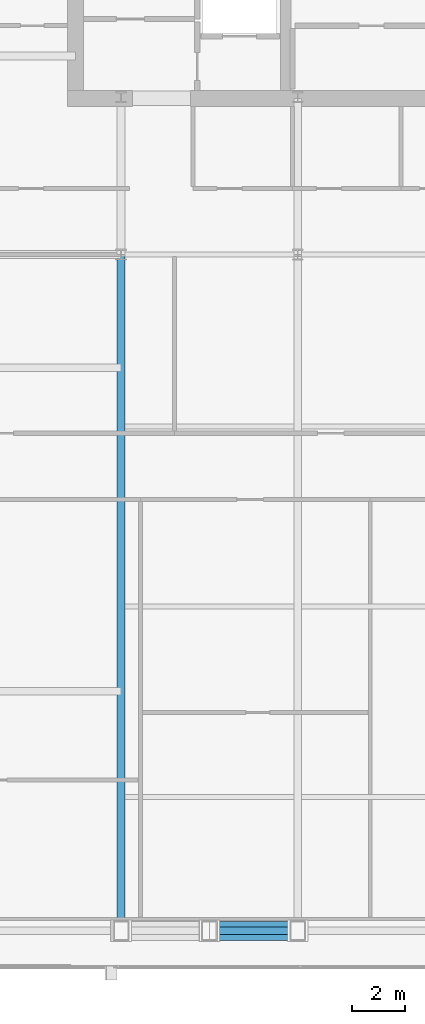
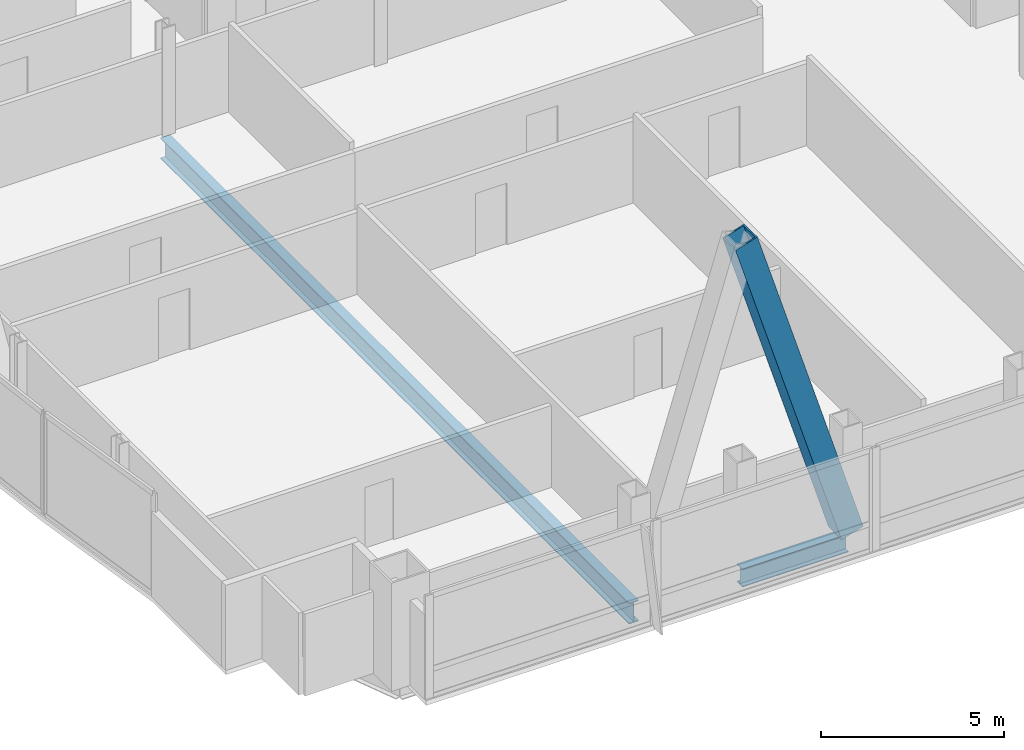
# One storey, part 7 of 32: 2 beams, 1 member.
"""IFC4 building model written with IfcOpenShell, lengths in metres."""

from ifc_helpers import new_model, si_unit, direction, frame, origin, origin_2d, place, context, subcontext, project, spatial, hollow_rectangle, i_section, extrude, material, material_profile, profile_set, type_object, element, save


model = new_model("IFC4")

# Units and contexts
model_context = context("Model", 3, precision=1e-05, world=origin(), true_north=direction((0.0, 1.0)))
body_context = subcontext(model_context, "Body", "Model", "MODEL_VIEW")
ifc_project = project(units=[si_unit("LENGTHUNIT", "METRE"), si_unit("AREAUNIT", "SQUARE_METRE"), si_unit("VOLUMEUNIT", "CUBIC_METRE"), si_unit("PLANEANGLEUNIT", "RADIAN"), si_unit("MASSUNIT", "GRAM", prefix="KILO")], contexts=[model_context])

# Site, building, storey
site_placement = place(None, origin())
site = spatial("IfcSite", under=ifc_project, at=site_placement, CompositionType="ELEMENT")
building_placement = place(site_placement, origin())
building = spatial("IfcBuilding", under=site, at=building_placement, Name="Khoronbel Lancet Exchange", CompositionType="ELEMENT")
storey_placement = place(building_placement, frame((0.0, 0.0, 199.39990234375)))
storey = spatial("IfcBuildingStorey", under=building, at=storey_placement, Name="L50", CompositionType="ELEMENT", Elevation=199.39990234375)

# Beams
ifc_material_1 = material(Name="Steel S355", Category="steel")
ifc_material_profile_1 = material_profile(ifc_material_1, i_section(OverallWidth=0.300048828125, OverallDepth=0.699951171875, WebThickness=0.01708984375, FlangeThickness=0.031982421875, at=origin_2d()), Name="HEB 700")
ifc_profile_set_1 = profile_set([ifc_material_profile_1], Name="Steel S355")
beam_type_1 = type_object("IfcBeamType", Name="BM-BG3", PredefinedType="BEAM", material=ifc_profile_set_1)
beam_1_placement = place(storey_placement, frame((18.22509765625, 10.14990234375, -0.510009765625), z_axis=(0.0, 1.0, 0.0), x_axis=(-1.0, 0.0, 0.0)))
element("IfcBeam", 1, at=beam_1_placement, inside=storey, type_object=beam_type_1, Name="Level L50 south primary girder GS1", PredefinedType="BEAM", context=body_context, shape_type="SweptSolid", body=[
    extrude(i_section(OverallWidth=0.300048828125, OverallDepth=0.699951171875, WebThickness=0.01708984375, FlangeThickness=0.031982421875, at=origin_2d()), origin(), (0.0, 0.0, 1.0), 25.550048828125),
])
ifc_material_profile_2 = material_profile(ifc_material_1, i_section(OverallWidth=0.300048828125, OverallDepth=0.60009765625, WebThickness=0.015380859375, FlangeThickness=0.030029296875, at=origin_2d()), Name="HEB 600")
ifc_profile_set_2 = profile_set([ifc_material_profile_2], Name="Steel S355")
beam_type_2 = type_object("IfcBeamType", Name="BM-BSP2", PredefinedType="SPANDREL", material=ifc_profile_set_2)
beam_2_placement = place(storey_placement, frame((21.5625, 10.14990234375, -0.4599609375), z_axis=(1.0, 0.0, 0.0), x_axis=(0.0, 1.0, 0.0)))
element("IfcBeam", 2, at=beam_2_placement, inside=storey, type_object=beam_type_2, Name="Level L50 perimeter spandrel beam SP03", PredefinedType="SPANDREL", context=body_context, shape_type="SweptSolid", body=[
    extrude(i_section(OverallWidth=0.300048828125, OverallDepth=0.60009765625, WebThickness=0.015380859375, FlangeThickness=0.030029296875, at=origin_2d()), origin(), (0.0, 0.0, 1.0), 3.33740234375),
])

# Member
ifc_material_2 = material(Name="Steel S460", Category="steel")
ifc_material_profile_3 = material_profile(ifc_material_2, hollow_rectangle(XDim=0.719970703125, YDim=0.719970703125, WallThickness=0.050048828125, at=origin_2d()), Name="BOX 720x720x50")
ifc_profile_set_3 = profile_set([ifc_material_profile_3], Name="Steel S460")
member_type = type_object("IfcMemberType", Name="MEM-MB2", PredefinedType="BRACE", material=ifc_profile_set_3)
member_placement = place(storey_placement, frame((24.89990234375, 10.14990234375, 0.0), z_axis=(-0.295242108906, 0.0, 0.955422470496), x_axis=(0.0, -1.0, 0.0)))
element("IfcMember", 3, at=member_placement, inside=storey, type_object=member_type, Name="Perimeter lancet brace tier 17 S-W-R", PredefinedType="BRACE", context=body_context, shape_type="SweptSolid", body=[
    extrude(hollow_rectangle(XDim=0.719970703125, YDim=0.719970703125, WallThickness=0.050048828125, at=origin_2d()), origin(), (0.0, 0.0, 1.0), 11.303955078125),
])

save(model, "model.ifc")
